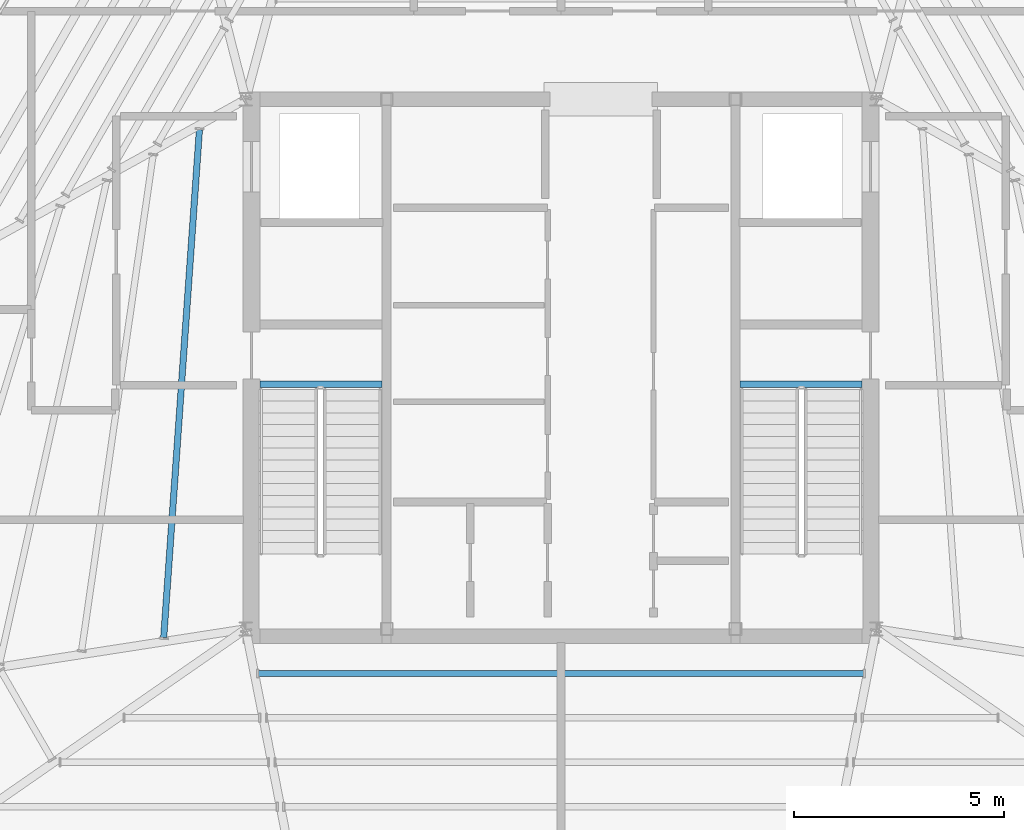
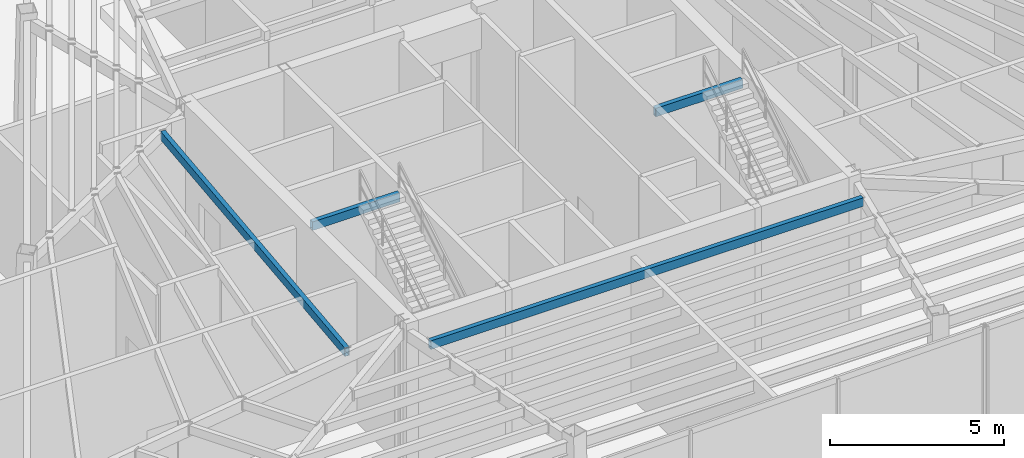
# One storey, part 9 of 25: 4 beams.
"""IFC4 building model written with IfcOpenShell, lengths in metres."""

from ifc_helpers import new_model, si_unit, direction, frame, origin, origin_2d, place, context, subcontext, project, spatial, hollow_rectangle, extrude, source, transform, mapped, material, material_profile, profile_set, type_object, type_shapes, element, save


model = new_model("IFC4")

# Units and contexts
model_context = context("Model", 3, precision=1e-05, world=origin(), true_north=direction((0.0, 1.0)))
body_context = subcontext(model_context, "Body", "Model", "MODEL_VIEW")
ifc_project = project(units=[si_unit("LENGTHUNIT", "METRE"), si_unit("AREAUNIT", "SQUARE_METRE"), si_unit("VOLUMEUNIT", "CUBIC_METRE"), si_unit("PLANEANGLEUNIT", "RADIAN"), si_unit("MASSUNIT", "GRAM", prefix="KILO")], contexts=[model_context])

# Site, building, storey
site_placement = place(None, origin())
site = spatial("IfcSite", under=ifc_project, at=site_placement, CompositionType="ELEMENT")
building_placement = place(site_placement, origin())
building = spatial("IfcBuilding", under=site, at=building_placement, Name="Caelisora Broadcast Tower", CompositionType="ELEMENT")
storey_placement = place(building_placement, frame((0.0, 0.0, 284.60009765625)))
storey = spatial("IfcBuildingStorey", under=building, at=storey_placement, Name="L75", CompositionType="ELEMENT", Elevation=284.60009765625)

# Beams
ifc_material = material(Name="Steel Grade 350 (AS/NZS 1163 C350L0)", Category="steel")
ifc_material_profile = material_profile(ifc_material, hollow_rectangle(XDim=0.14990234375, YDim=0.300048828125, WallThickness=0.010009765625, at=origin_2d()), Name="Steel Grade 350 (AS/NZS 1163 C350L0)")
ifc_profile_set = profile_set([ifc_material_profile], Name="Steel Grade 350 (AS/NZS 1163 C350L0)")
beam_type = type_object("IfcBeamType", Name="SB05", PredefinedType="JOIST", material=ifc_profile_set)
shared_shape_1 = source(origin(), body_context, "Body", "SweptSolid", [
    extrude(hollow_rectangle(XDim=0.14990234375, YDim=0.300048828125, WallThickness=0.010009765625, at=origin_2d()), origin(), (0.0, 0.0, 1.0), 2.89990234375),
])
for number, where, z_axis, x_axis, name in (
    (1, (30.840087890625, 23.219970703125, 4.7998046875), (1.0, 0.0, 0.0), (0.0, 1.0, 0.0), "L75 beam SB05"),
    (2, (42.260009765625, 23.219970703125, 4.7998046875), (1.0, 0.0, 0.0), (0.0, 1.0, 0.0), "L75 beam SB05"),
):
    element("IfcBeam", number, at=place(storey_placement, frame(where, z_axis=z_axis, x_axis=x_axis)), inside=storey, type_object=beam_type, Name=name, PredefinedType="JOIST", context=body_context, shape_type="MappedRepresentation", body=[
        mapped(shared_shape_1, transform((0.0, 0.0, 0.0), scale=1.0)),
    ])
shared_shape_2 = source(origin(), body_context, "Body", "SweptSolid", [
    extrude(hollow_rectangle(XDim=0.14990234375, YDim=0.300048828125, WallThickness=0.010009765625, at=origin_2d()), origin(), (0.0, 0.0, 1.0), 12.112548828125),
])
beam_1_placement = place(storey_placement, frame((29.39794921875, 29.2783203125, 4.7998046875), z_axis=(-0.07016268195, -0.997535562304, 0.0), x_axis=(0.997535562304, -0.07016268195, 0.0)))
element("IfcBeam", 3, at=beam_1_placement, inside=storey, type_object=beam_type, Name="L75 beam SB05", PredefinedType="JOIST", context=body_context, shape_type="MappedRepresentation", body=[
    mapped(shared_shape_2, transform((0.0, 0.0, 0.0), scale=1.0)),
])
shared_shape_3 = source(origin(), body_context, "Body", "SweptSolid", [
    extrude(hollow_rectangle(XDim=0.14990234375, YDim=0.300048828125, WallThickness=0.010009765625, at=origin_2d()), origin(), (0.0, 0.0, 1.0), 14.38916015625),
])
type_shapes(beam_type, [shared_shape_1, shared_shape_2, shared_shape_3])
beam_2_placement = place(storey_placement, frame((30.805419921875, 16.341796875, 4.7998046875), z_axis=(1.0, 0.0, 0.0), x_axis=(0.0, 1.0, 0.0)))
element("IfcBeam", 4, at=beam_2_placement, inside=storey, type_object=beam_type, Name="L75 beam SB05", PredefinedType="JOIST", context=body_context, shape_type="MappedRepresentation", body=[
    mapped(shared_shape_3, transform((0.0, 0.0, 0.0), scale=1.0)),
])

save(model, "model.ifc")
